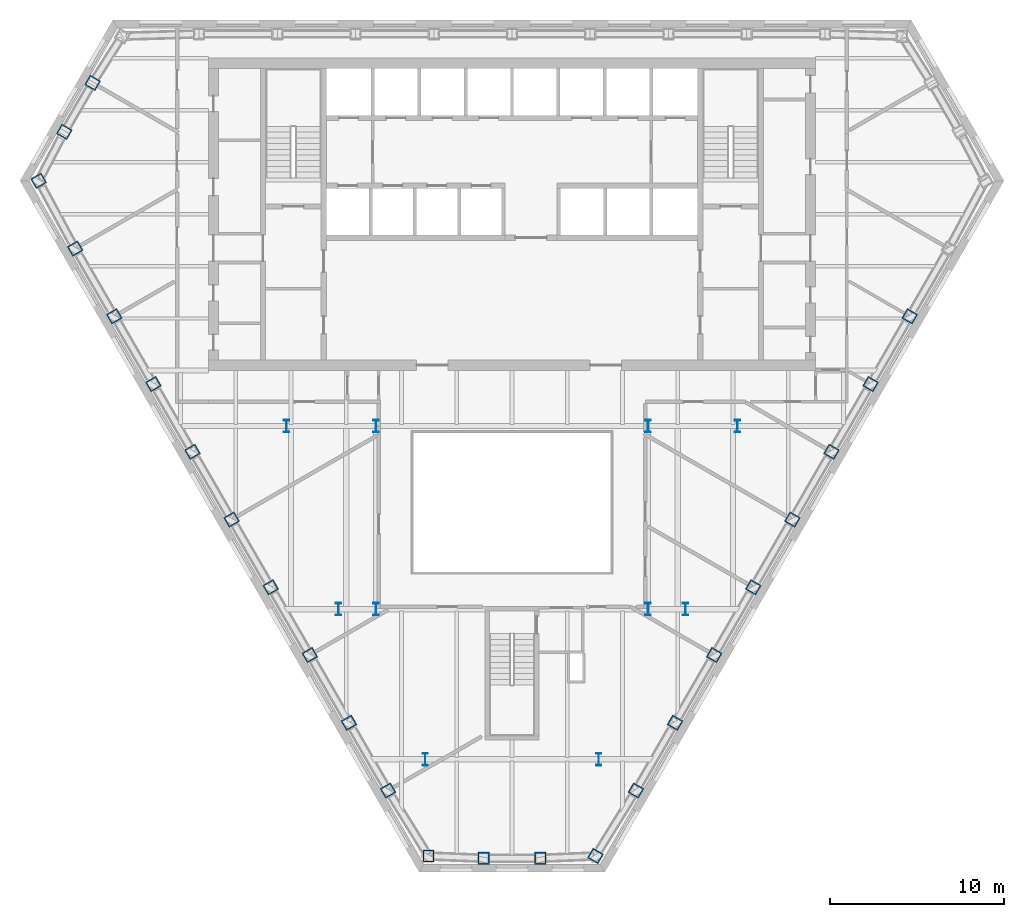
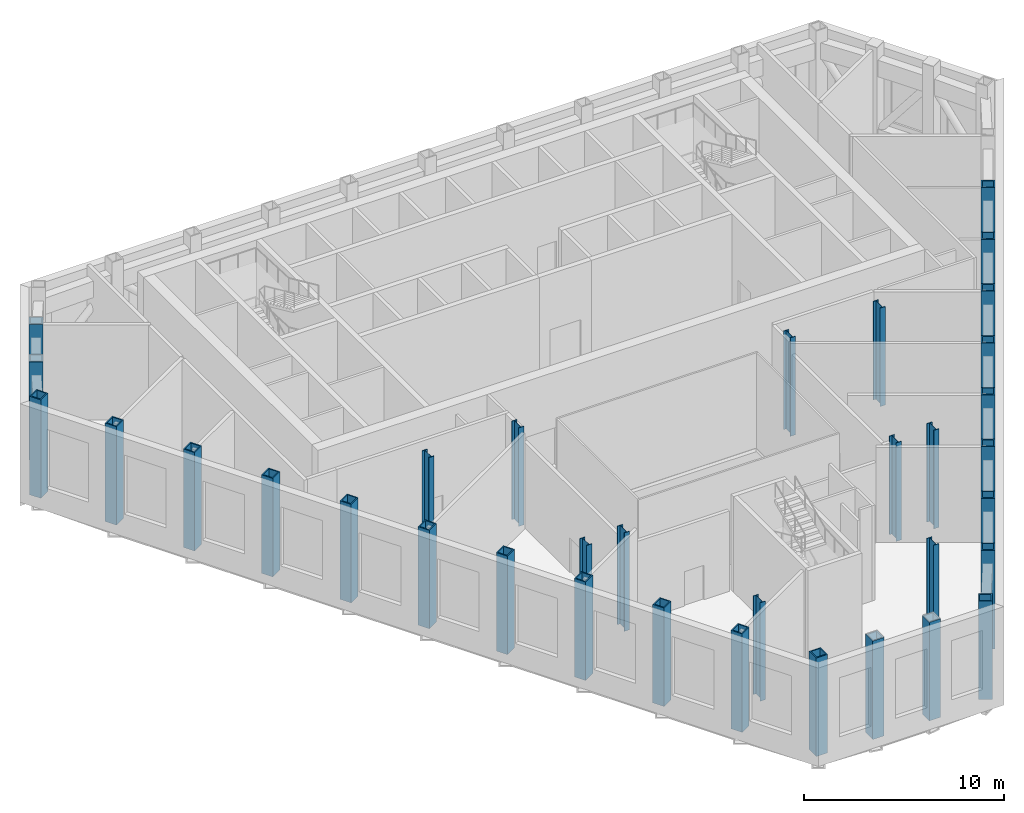
# One storey, part 1 of 14: 34 columns.
"""IFC4 building model written with IfcOpenShell, lengths in metres."""

from ifc_helpers import new_model, si_unit, direction, frame, origin, origin_2d, place, context, subcontext, project, spatial, hollow_rectangle, i_section, extrude, material, material_profile, profile_set, type_object, element, save


model = new_model("IFC4")

# Units and contexts
model_context = context("Model", 3, precision=1e-05, world=origin(), true_north=direction((0.0, 1.0)))
body_context = subcontext(model_context, "Body", "Model", "MODEL_VIEW")
ifc_project = project(units=[si_unit("LENGTHUNIT", "METRE"), si_unit("AREAUNIT", "SQUARE_METRE"), si_unit("VOLUMEUNIT", "CUBIC_METRE"), si_unit("PLANEANGLEUNIT", "RADIAN"), si_unit("MASSUNIT", "GRAM", prefix="KILO")], contexts=[model_context])

# Site, building, storey
site_placement = place(None, origin())
site = spatial("IfcSite", under=ifc_project, at=site_placement, CompositionType="ELEMENT")
building_placement = place(site_placement, origin())
building = spatial("IfcBuilding", under=site, at=building_placement, Name="Njiva Tower", CompositionType="ELEMENT")
storey_placement = place(building_placement, frame((0.0, 0.0, 78.3)))
storey = spatial("IfcBuildingStorey", under=building, at=storey_placement, Name="L16", CompositionType="ELEMENT", Elevation=78.3)

# Columns
ifc_material = material(Name="Steel S355 J2", Category="steel")
ifc_material_profile_1 = material_profile(ifc_material, hollow_rectangle(XDim=0.65, YDim=0.7, WallThickness=0.065, at=origin_2d()), Name="BOX 700x650x65")
ifc_profile_set_1 = profile_set([ifc_material_profile_1], Name="Steel S355 J2")
column_type_1 = type_object("IfcColumnType", Name="C7 Perimeter tube column BOX 700x650x65", PredefinedType="COLUMN", material=ifc_profile_set_1)
for number, where, z_axis, x_axis, name in (
    (1, (-24.167, 16.578, 0.0), (0.0, 0.0, 1.0), (-0.5, -0.866025403784, 0.0), "Perimeter tube column T1-C12"),
    (2, (-25.797, 13.756, 0.0), (0.0, 0.0, 1.0), (-0.5, -0.866025403784, 0.0), "Perimeter tube column T1-C13"),
    (3, (-27.273, 10.934, 0.0), (0.0, 0.0, 1.0), (0.5, -0.866025403784, 0.0), "Perimeter tube column T1-C14"),
    (4, (-25.172, 7.03, 0.0), (0.0, 0.0, 1.0), (0.5, -0.866025403784, 0.0), "Perimeter tube column T1-C15"),
    (5, (-22.919, 3.126, 0.0), (0.0, 0.0, 1.0), (0.5, -0.866025403784, 0.0), "Perimeter tube column T1-C16"),
    (6, (-20.665, -0.778, 0.0), (0.0, 0.0, 1.0), (0.5, -0.866025403784, 0.0), "Perimeter tube column T1-C17"),
    (7, (-18.411, -4.681, 0.0), (0.0, 0.0, 1.0), (0.5, -0.866025403784, 0.0), "Perimeter tube column T1-C18"),
    (8, (-16.157, -8.585, 0.0), (0.0, 0.0, 1.0), (0.5, -0.866025403784, 0.0), "Perimeter tube column T1-C19"),
    (9, (-13.903, -12.489, 0.0), (0.0, 0.0, 1.0), (0.5, -0.866025403784, 0.0), "Perimeter tube column T1-C20"),
    (10, (-11.65, -16.392, 0.0), (0.0, 0.0, 1.0), (0.5, -0.866025403784, 0.0), "Perimeter tube column T1-C21"),
    (11, (-9.396, -20.296, 0.0), (0.0, 0.0, 1.0), (0.5, -0.866025403784, 0.0), "Perimeter tube column T1-C22"),
    (12, (-7.142, -24.2, 0.0), (0.0, 0.0, 1.0), (0.5, -0.866025403784, 0.0), "Perimeter tube column T1-C23"),
    (13, (-4.811, -27.971, 0.0), (0.0, 0.0, 1.0), (1.0, 0.0, 0.0), "Perimeter tube column T1-C24"),
    (14, (-1.629, -28.104, 0.0), (0.0, 0.0, 1.0), (1.0, 0.0, 0.0), "Perimeter tube column T1-C25"),
    (15, (1.629, -28.104, 0.0), (0.0, 0.0, 1.0), (1.0, 0.0, 0.0), "Perimeter tube column T1-C26"),
    (16, (4.811, -27.971, 0.0), (0.0, 0.0, 1.0), (0.5, 0.866025403784, 0.0), "Perimeter tube column T1-C27"),
    (17, (7.142, -24.2, 0.0), (0.0, 0.0, 1.0), (0.5, 0.866025403784, 0.0), "Perimeter tube column T1-C28"),
    (18, (9.396, -20.296, 0.0), (0.0, 0.0, 1.0), (0.5, 0.866025403784, 0.0), "Perimeter tube column T1-C29"),
    (19, (11.65, -16.392, 0.0), (0.0, 0.0, 1.0), (0.5, 0.866025403784, 0.0), "Perimeter tube column T1-C30"),
    (20, (13.903, -12.489, 0.0), (0.0, 0.0, 1.0), (0.5, 0.866025403784, 0.0), "Perimeter tube column T1-C31"),
    (21, (16.157, -8.585, 0.0), (0.0, 0.0, 1.0), (0.5, 0.866025403784, 0.0), "Perimeter tube column T1-C32"),
    (22, (18.411, -4.681, 0.0), (0.0, 0.0, 1.0), (0.5, 0.866025403784, 0.0), "Perimeter tube column T1-C33"),
    (23, (20.665, -0.778, 0.0), (0.0, 0.0, 1.0), (0.5, 0.866025403784, 0.0), "Perimeter tube column T1-C34"),
    (24, (22.919, 3.126, 0.0), (0.0, 0.0, 1.0), (0.5, 0.866025403784, 0.0), "Perimeter tube column T1-C35"),
):
    element("IfcColumn", number, at=place(storey_placement, frame(where, z_axis=z_axis, x_axis=x_axis)), inside=storey, type_object=column_type_1, Name=name, PredefinedType="COLUMN", context=body_context, shape_type="SweptSolid", body=[
        extrude(hollow_rectangle(XDim=0.65, YDim=0.7, WallThickness=0.065, at=origin_2d()), origin(), (0.0, 0.0, 1.0), 6.0),
    ])
ifc_material_profile_2 = material_profile(ifc_material, i_section(OverallWidth=0.304, OverallDepth=0.716, WebThickness=0.021, FlangeThickness=0.04, at=origin_2d()), Name="HEM 700")
ifc_profile_set_2 = profile_set([ifc_material_profile_2], Name="Steel S355 J2")
column_type_2 = type_object("IfcColumnType", Name="C8 Interior column HEM 700", PredefinedType="COLUMN", material=ifc_profile_set_2)
for number, where, z_axis, x_axis, name in (
    (25, (7.83, -3.2, 0.0), (0.0, 0.0, 1.0), (1.0, 0.0, 0.0), "Interior column T1-C40"),
    (26, (-7.83, -3.2, 0.0), (0.0, 0.0, 1.0), (1.0, 0.0, 0.0), "Interior column T1-C41"),
    (27, (7.83, -13.75, 0.0), (0.0, 0.0, 1.0), (1.0, 0.0, 0.0), "Interior column T1-C42"),
    (28, (-7.83, -13.75, 0.0), (0.0, 0.0, 1.0), (1.0, 0.0, 0.0), "Interior column T1-C43"),
    (29, (5.0, -22.4, 0.0), (0.0, 0.0, 1.0), (1.0, 0.0, 0.0), "Interior column T1-C44"),
    (30, (-5.0, -22.4, 0.0), (0.0, 0.0, 1.0), (1.0, 0.0, 0.0), "Interior column T1-C45"),
    (31, (13.0, -3.2, 0.0), (0.0, 0.0, 1.0), (1.0, 0.0, 0.0), "Interior column T1-C46"),
    (32, (-13.0, -3.2, 0.0), (0.0, 0.0, 1.0), (1.0, 0.0, 0.0), "Interior column T1-C47"),
    (33, (10.0, -13.75, 0.0), (0.0, 0.0, 1.0), (1.0, 0.0, 0.0), "Interior column T1-C48"),
    (34, (-10.0, -13.75, 0.0), (0.0, 0.0, 1.0), (1.0, 0.0, 0.0), "Interior column T1-C49"),
):
    element("IfcColumn", number, at=place(storey_placement, frame(where, z_axis=z_axis, x_axis=x_axis)), inside=storey, type_object=column_type_2, Name=name, PredefinedType="COLUMN", context=body_context, shape_type="SweptSolid", body=[
        extrude(i_section(OverallWidth=0.304, OverallDepth=0.716, WebThickness=0.021, FlangeThickness=0.04, at=origin_2d()), origin(), (0.0, 0.0, 1.0), 6.0),
    ])

save(model, "model.ifc")
